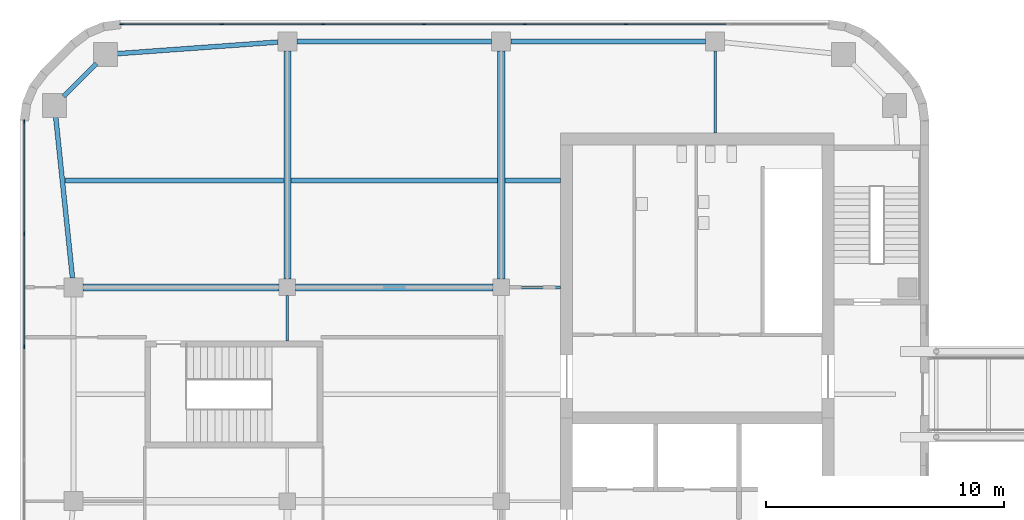
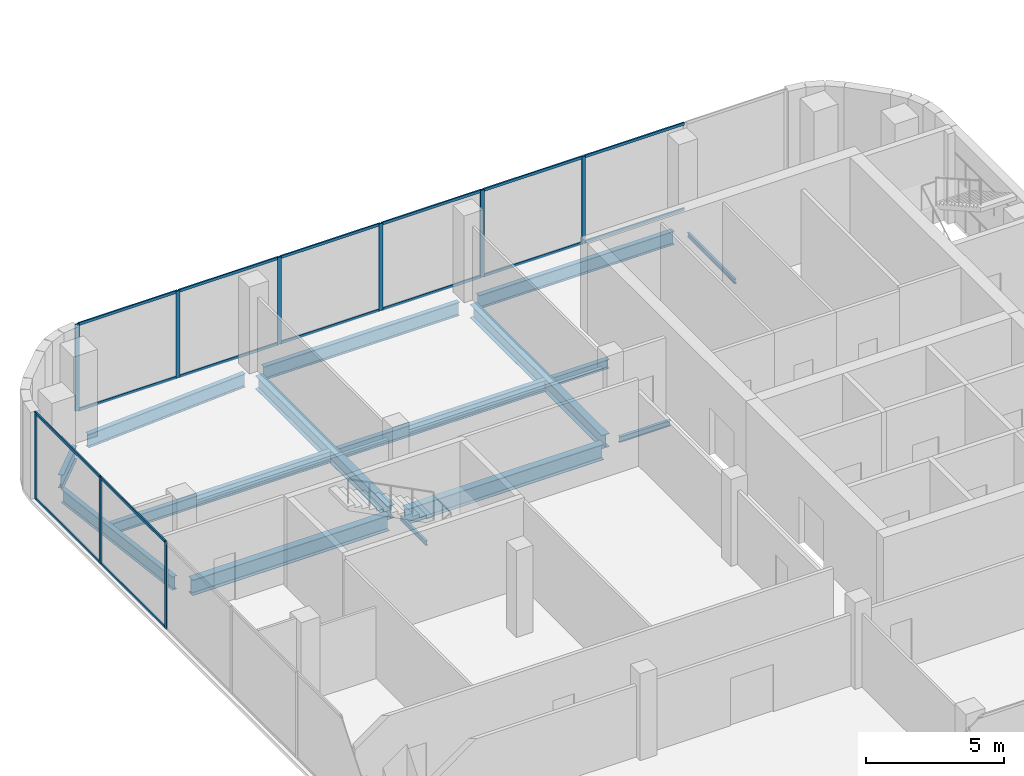
# One storey, part 6 of 24: 25 members, 15 beams, 2 elements without a shape of their own.
"""IFC4 building model written with IfcOpenShell, lengths in metres."""

from ifc_helpers import new_model, si_unit, direction, frame, origin, origin_2d, place, context, subcontext, project, spatial, rectangle, i_section, extrude, material, material_profile, profile_set, type_object, element, aggregate, save


model = new_model("IFC4")

# Units and contexts
model_context = context("Model", 3, precision=1e-05, world=origin(), true_north=direction((0.0, 1.0)))
body_context = subcontext(model_context, "Body", "Model", "MODEL_VIEW")
ifc_project = project(units=[si_unit("LENGTHUNIT", "METRE"), si_unit("AREAUNIT", "SQUARE_METRE"), si_unit("VOLUMEUNIT", "CUBIC_METRE"), si_unit("PLANEANGLEUNIT", "RADIAN"), si_unit("MASSUNIT", "GRAM", prefix="KILO")], contexts=[model_context])

# Site, building, storey
site_placement = place(None, origin())
site = spatial("IfcSite", under=ifc_project, at=site_placement, CompositionType="ELEMENT")
building_placement = place(site_placement, origin())
building = spatial("IfcBuilding", under=site, at=building_placement, Name="Cinnabar Reach Civic Tower", CompositionType="ELEMENT")
storey_placement = place(building_placement, frame((0.0, 0.0, 71.0)))
storey = spatial("IfcBuildingStorey", under=building, at=storey_placement, Name="L16", CompositionType="ELEMENT", Elevation=71.0)

# Beams
ifc_material_1 = material(Name="Steel Q355B", Category="steel")
ifc_material_profile_1 = material_profile(ifc_material_1, i_section(OverallWidth=0.302, OverallDepth=0.594, WebThickness=0.014, FlangeThickness=0.023, FilletRadius=0.016, at=origin_2d()), Name="HM594x302x14x23")
ifc_profile_set_1 = profile_set([ifc_material_profile_1], Name="Steel Q355B")
beam_type_1 = type_object("IfcBeamType", Name="HM594x302x14x23 beam R 120", PredefinedType="BEAM", material=ifc_profile_set_1)
for number, where, z_axis, x_axis, name in (
    (1, (-54.0, 36.352, -0.447), (0.0, 1.0, 0.0), (-1.0, 0.0, 0.0), "Girder T2 L16 5"),
    (2, (-45.0, 36.352, -0.447), (0.0, 1.0, 0.0), (-1.0, 0.0, 0.0), "Girder T2 L16 9"),
):
    element("IfcBeam", number, at=place(storey_placement, frame(where, z_axis=z_axis, x_axis=x_axis)), inside=storey, type_object=beam_type_1, Name=name, PredefinedType="BEAM", context=body_context, shape_type="SweptSolid", body=[
        extrude(i_section(OverallWidth=0.302, OverallDepth=0.594, WebThickness=0.014, FlangeThickness=0.023, FilletRadius=0.016, at=origin_2d()), origin(), (0.0, 0.0, 1.0), 9.596),
    ])
ifc_material_profile_2 = material_profile(ifc_material_1, i_section(OverallWidth=0.099, OverallDepth=0.198, WebThickness=0.0045, FlangeThickness=0.007, FilletRadius=0.013, at=origin_2d()), Name="HN200x100x5.5x8")
ifc_profile_set_2 = profile_set([ifc_material_profile_2], Name="Steel Q355B")
beam_type_2 = type_object("IfcBeamType", Name="HN200x100x5.5x8 beam R 120", PredefinedType="BEAM", material=ifc_profile_set_2)
beam_1_placement = place(storey_placement, frame((-54.0, 33.752, -0.249), z_axis=(0.0, 1.0, 0.0), x_axis=(-1.0, 0.0, 0.0)))
element("IfcBeam", 3, at=beam_1_placement, inside=storey, type_object=beam_type_2, Name="Girder T2 L16 4", PredefinedType="BEAM", context=body_context, shape_type="SweptSolid", body=[
    extrude(i_section(OverallWidth=0.099, OverallDepth=0.198, WebThickness=0.0045, FlangeThickness=0.007, FilletRadius=0.013, at=origin_2d()), origin(), (0.0, 0.0, 1.0), 1.896),
])
beam_2_placement = place(storey_placement, frame((-36.0, 42.502, -0.249), z_axis=(0.0, 1.0, 0.0), x_axis=(-1.0, 0.0, 0.0)))
element("IfcBeam", 4, at=beam_2_placement, inside=storey, type_object=beam_type_2, Name="Girder T2 L16 12", PredefinedType="BEAM", context=body_context, shape_type="SweptSolid", body=[
    extrude(i_section(OverallWidth=0.099, OverallDepth=0.198, WebThickness=0.0045, FlangeThickness=0.007, FilletRadius=0.013, at=origin_2d()), origin(), (0.0, 0.0, 1.0), 3.446),
])
ifc_material_profile_3 = material_profile(ifc_material_1, i_section(OverallWidth=0.124, OverallDepth=0.248, WebThickness=0.005, FlangeThickness=0.008, FilletRadius=0.013, at=origin_2d()), Name="HN250x125x6x9")
ifc_profile_set_3 = profile_set([ifc_material_profile_3], Name="Steel Q355B")
beam_type_3 = type_object("IfcBeamType", Name="HN250x125x6x9 beam R 120", PredefinedType="BEAM", material=ifc_profile_set_3)
beam_3_placement = place(storey_placement, frame((-44.648, 36.0, -0.274), z_axis=(1.0, 0.0, 0.0), x_axis=(0.0, 1.0, 0.0)))
element("IfcBeam", 5, at=beam_3_placement, inside=storey, type_object=beam_type_3, Name="Girder T2 L16 10", PredefinedType="BEAM", context=body_context, shape_type="SweptSolid", body=[
    extrude(i_section(OverallWidth=0.124, OverallDepth=0.248, WebThickness=0.005, FlangeThickness=0.008, FilletRadius=0.013, at=origin_2d()), origin(), (0.0, 0.0, 1.0), 2.146),
])
ifc_material_profile_4 = material_profile(ifc_material_1, i_section(OverallWidth=0.199, OverallDepth=0.396, WebThickness=0.007, FlangeThickness=0.011, FilletRadius=0.013, at=origin_2d()), Name="HN396x199x7x11")
ifc_profile_set_4 = profile_set([ifc_material_profile_4], Name="Steel Q355B")
beam_type_4 = type_object("IfcBeamType", Name="HN396x199x7x11 beam R 120", PredefinedType="BEAM", material=ifc_profile_set_4)
beam_4_placement = place(storey_placement, frame((-44.847, 40.5, -0.348), z_axis=(1.0, 0.0, 0.0), x_axis=(0.0, 1.0, 0.0)))
element("IfcBeam", 6, at=beam_4_placement, inside=storey, type_object=beam_type_4, Name="Secondary beam T2 L16 14", PredefinedType="BEAM", context=body_context, shape_type="SweptSolid", body=[
    extrude(i_section(OverallWidth=0.199, OverallDepth=0.396, WebThickness=0.007, FlangeThickness=0.011, FilletRadius=0.013, at=origin_2d()), origin(), (0.0, 0.0, 1.0), 2.345),
])
ifc_material_profile_5 = material_profile(ifc_material_1, i_section(OverallWidth=0.199, OverallDepth=0.496, WebThickness=0.009, FlangeThickness=0.014, FilletRadius=0.016, at=origin_2d()), Name="HN496x199x9x14")
ifc_profile_set_5 = profile_set([ifc_material_profile_5], Name="Steel Q355B")
beam_type_5 = type_object("IfcBeamType", Name="HN496x199x9x14 beam R 120", PredefinedType="BEAM", material=ifc_profile_set_5)
beam_5_placement = place(storey_placement, frame((-63.3663, 40.5, -0.398), z_axis=(1.0, 0.0, 0.0), x_axis=(0.0, 1.0, 0.0)))
element("IfcBeam", 7, at=beam_5_placement, inside=storey, type_object=beam_type_5, Name="Secondary beam T2 L16 12", PredefinedType="BEAM", context=body_context, shape_type="SweptSolid", body=[
    extrude(i_section(OverallWidth=0.199, OverallDepth=0.496, WebThickness=0.009, FlangeThickness=0.014, FilletRadius=0.016, at=origin_2d()), origin(), (0.0, 0.0, 1.0), 9.2133),
])
beam_6_placement = place(storey_placement, frame((-53.847, 40.5, -0.398), z_axis=(1.0, 0.0, 0.0), x_axis=(0.0, 1.0, 0.0)))
element("IfcBeam", 8, at=beam_6_placement, inside=storey, type_object=beam_type_5, Name="Secondary beam T2 L16 13", PredefinedType="BEAM", context=body_context, shape_type="SweptSolid", body=[
    extrude(i_section(OverallWidth=0.199, OverallDepth=0.496, WebThickness=0.009, FlangeThickness=0.014, FilletRadius=0.016, at=origin_2d()), origin(), (0.0, 0.0, 1.0), 8.694),
])
ifc_material_profile_6 = material_profile(ifc_material_1, i_section(OverallWidth=0.2, OverallDepth=0.6, WebThickness=0.011, FlangeThickness=0.017, FilletRadius=0.016, at=origin_2d()), Name="HN600x200x11x17")
ifc_profile_set_6 = profile_set([ifc_material_profile_6], Name="Steel Q355B")
beam_type_6 = type_object("IfcBeamType", Name="HN600x200x11x17 beam R 120", PredefinedType="BEAM", material=ifc_profile_set_6)
for number, where, z_axis, x_axis, name in (
    (9, (-36.402, 46.35, -0.45), (-1.0, 0.0, 0.0), (0.0, -1.0, 0.0), "Edge beam T2 L16 10"),
    (10, (-45.402, 46.35, -0.45), (-1.0, 0.0, 0.0), (0.0, -1.0, 0.0), "Edge beam T2 L16 11"),
):
    element("IfcBeam", number, at=place(storey_placement, frame(where, z_axis=z_axis, x_axis=x_axis)), inside=storey, type_object=beam_type_6, Name=name, PredefinedType="BEAM", context=body_context, shape_type="SweptSolid", body=[
        extrude(i_section(OverallWidth=0.2, OverallDepth=0.6, WebThickness=0.011, FlangeThickness=0.017, FilletRadius=0.016, at=origin_2d()), origin(), (0.0, 0.0, 1.0), 8.196),
    ])
beam_7_placement = place(storey_placement, frame((-54.402, 46.3209, -0.45), z_axis=(-0.997395244781, -0.072129922278, 0.0), x_axis=(0.072129922278, -0.997395244781, 0.0)))
element("IfcBeam", 11, at=beam_7_placement, inside=storey, type_object=beam_type_6, Name="Edge beam T2 L16 12", PredefinedType="BEAM", context=body_context, shape_type="SweptSolid", body=[
    extrude(i_section(OverallWidth=0.2, OverallDepth=0.6, WebThickness=0.011, FlangeThickness=0.017, FilletRadius=0.016, at=origin_2d()), origin(), (0.0, 0.0, 1.0), 6.882),
])
beam_8_placement = place(storey_placement, frame((-62.0301, 45.4149, -0.45), z_axis=(-0.707106781187, -0.707106781187, 0.0), x_axis=(0.707106781187, -0.707106781187, 0.0)))
element("IfcBeam", 12, at=beam_8_placement, inside=storey, type_object=beam_type_6, Name="Edge beam T2 L16 13", PredefinedType="BEAM", context=body_context, shape_type="SweptSolid", body=[
    extrude(i_section(OverallWidth=0.2, OverallDepth=0.6, WebThickness=0.011, FlangeThickness=0.017, FilletRadius=0.016, at=origin_2d()), origin(), (0.0, 0.0, 1.0), 1.9584),
])
beam_9_placement = place(storey_placement, frame((-63.7571, 43.2661, -0.45), z_axis=(0.103633260175, -0.994615577691, 0.0), x_axis=(0.994615577691, 0.103633260175, 0.0)))
element("IfcBeam", 13, at=beam_9_placement, inside=storey, type_object=beam_type_6, Name="Edge beam T2 L16 14", PredefinedType="BEAM", context=body_context, shape_type="SweptSolid", body=[
    extrude(i_section(OverallWidth=0.2, OverallDepth=0.6, WebThickness=0.011, FlangeThickness=0.017, FilletRadius=0.016, at=origin_2d()), origin(), (0.0, 0.0, 1.0), 6.9013),
])
ifc_material_profile_7 = material_profile(ifc_material_1, i_section(OverallWidth=0.3, OverallDepth=0.692, WebThickness=0.013, FlangeThickness=0.02, FilletRadius=0.016, at=origin_2d()), Name="HN692x300x13x20")
ifc_profile_set_7 = profile_set([ifc_material_profile_7], Name="Steel Q355B")
beam_type_7 = type_object("IfcBeamType", Name="HN692x300x13x20 beam R 120", PredefinedType="BEAM", material=ifc_profile_set_7)
beam_10_placement = place(storey_placement, frame((-62.598, 36.0, -0.496), z_axis=(1.0, 0.0, 0.0), x_axis=(0.0, 1.0, 0.0)))
element("IfcBeam", 14, at=beam_10_placement, inside=storey, type_object=beam_type_7, Name="Girder T2 L16 8", PredefinedType="BEAM", context=body_context, shape_type="SweptSolid", body=[
    extrude(i_section(OverallWidth=0.3, OverallDepth=0.692, WebThickness=0.013, FlangeThickness=0.02, FilletRadius=0.016, at=origin_2d()), origin(), (0.0, 0.0, 1.0), 8.246),
])
beam_11_placement = place(storey_placement, frame((-53.648, 36.0, -0.496), z_axis=(1.0, 0.0, 0.0), x_axis=(0.0, 1.0, 0.0)))
element("IfcBeam", 15, at=beam_11_placement, inside=storey, type_object=beam_type_7, Name="Girder T2 L16 9", PredefinedType="BEAM", context=body_context, shape_type="SweptSolid", body=[
    extrude(i_section(OverallWidth=0.3, OverallDepth=0.692, WebThickness=0.013, FlangeThickness=0.02, FilletRadius=0.016, at=origin_2d()), origin(), (0.0, 0.0, 1.0), 8.296),
])

# Curtain wall, members
ifc_material_2 = material(Name="Aluminium and clear double glazing", Category="aluminium")
curtain_wall_type = type_object("IfcCurtainWallType", Name="Tower 2 sky lobby and amenity curtain wall", PredefinedType="NOTDEFINED", material=ifc_material_2)
curtain_wall_1_placement = place(storey_placement, origin())
curtain_wall_1 = element("IfcCurtainWall", 16, at=curtain_wall_1_placement, inside=storey, type_object=curtain_wall_type, Name="Tower 2 sky lobby and amenity 2", PredefinedType="NOTDEFINED")
ifc_material_3 = material(Name="Aluminium", Category="aluminium")
ifc_material_profile_8 = material_profile(ifc_material_3, rectangle(XDim=0.06, YDim=0.16, at=origin_2d()), Name="Tower 2 sky lobby and amenity mullion")
ifc_profile_set_8 = profile_set([ifc_material_profile_8], Name="Aluminium")
member_type_1 = type_object("IfcMemberType", Name="Tower 2 sky lobby and amenity mullion", PredefinedType="MULLION", material=ifc_profile_set_8)
member_1_placement = place(storey_placement, frame((-39.7468, 47.07, 0.0), z_axis=(0.0, 0.0, 1.0), x_axis=(0.0, -1.0, 0.0)))
member_1 = element("IfcMember", 17, at=member_1_placement, type_object=member_type_1, Name="CW-T2SKY-2 mullion 3", PredefinedType="MULLION", context=body_context, shape_type="SweptSolid", body=[
    extrude(rectangle(XDim=0.06, YDim=0.16, at=origin_2d()), origin(), (0.0, 0.0, 1.0), 3.85),
])
member_2_placement = place(storey_placement, frame((-43.9989, 47.07, 0.0), z_axis=(0.0, 0.0, 1.0), x_axis=(0.0, -1.0, 0.0)))
member_2 = element("IfcMember", 18, at=member_2_placement, type_object=member_type_1, Name="CW-T2SKY-2 mullion 4", PredefinedType="MULLION", context=body_context, shape_type="SweptSolid", body=[
    extrude(rectangle(XDim=0.06, YDim=0.16, at=origin_2d()), origin(), (0.0, 0.0, 1.0), 3.85),
])
member_3_placement = place(storey_placement, frame((-48.2511, 47.07, 0.0), z_axis=(0.0, 0.0, 1.0), x_axis=(0.0, -1.0, 0.0)))
member_3 = element("IfcMember", 19, at=member_3_placement, type_object=member_type_1, Name="CW-T2SKY-2 mullion 5", PredefinedType="MULLION", context=body_context, shape_type="SweptSolid", body=[
    extrude(rectangle(XDim=0.06, YDim=0.16, at=origin_2d()), origin(), (0.0, 0.0, 1.0), 3.85),
])
member_4_placement = place(storey_placement, frame((-52.5032, 47.07, 0.0), z_axis=(0.0, 0.0, 1.0), x_axis=(0.0, -1.0, 0.0)))
member_4 = element("IfcMember", 20, at=member_4_placement, type_object=member_type_1, Name="CW-T2SKY-2 mullion 6", PredefinedType="MULLION", context=body_context, shape_type="SweptSolid", body=[
    extrude(rectangle(XDim=0.06, YDim=0.16, at=origin_2d()), origin(), (0.0, 0.0, 1.0), 3.85),
])
member_5_placement = place(storey_placement, frame((-56.7553, 47.07, 0.0), z_axis=(0.0, 0.0, 1.0), x_axis=(0.0, -1.0, 0.0)))
member_5 = element("IfcMember", 21, at=member_5_placement, type_object=member_type_1, Name="CW-T2SKY-2 mullion 7", PredefinedType="MULLION", context=body_context, shape_type="SweptSolid", body=[
    extrude(rectangle(XDim=0.06, YDim=0.16, at=origin_2d()), origin(), (0.0, 0.0, 1.0), 3.85),
])
member_6_placement = place(storey_placement, frame((-60.9774, 47.07, 0.0), z_axis=(0.0, 0.0, 1.0), x_axis=(0.0, -1.0, 0.0)))
member_6 = element("IfcMember", 22, at=member_6_placement, type_object=member_type_1, Name="CW-T2SKY-2 mullion 8", PredefinedType="MULLION", context=body_context, shape_type="SweptSolid", body=[
    extrude(rectangle(XDim=0.06, YDim=0.16, at=origin_2d()), origin(), (0.0, 0.0, 1.0), 3.85),
])

curtain_wall_2_placement = place(storey_placement, origin())
curtain_wall_2 = element("IfcCurtainWall", 23, at=curtain_wall_2_placement, inside=storey, type_object=curtain_wall_type, Name="Tower 2 sky lobby and amenity 3", PredefinedType="NOTDEFINED")
member_7_placement = place(storey_placement, frame((-65.07, 42.9774, 0.0), z_axis=(0.0, 0.0, 1.0), x_axis=(1.0, 0.0, 0.0)))
member_7 = element("IfcMember", 24, at=member_7_placement, type_object=member_type_1, Name="CW-T2SKY-3 mullion 1", PredefinedType="MULLION", context=body_context, shape_type="SweptSolid", body=[
    extrude(rectangle(XDim=0.06, YDim=0.16, at=origin_2d()), origin(), (0.0, 0.0, 1.0), 3.85),
])
member_8_placement = place(storey_placement, frame((-65.07, 38.2544, 0.0), z_axis=(0.0, 0.0, 1.0), x_axis=(1.0, 0.0, 0.0)))
member_8 = element("IfcMember", 25, at=member_8_placement, type_object=member_type_1, Name="CW-T2SKY-3 mullion 2", PredefinedType="MULLION", context=body_context, shape_type="SweptSolid", body=[
    extrude(rectangle(XDim=0.06, YDim=0.16, at=origin_2d()), origin(), (0.0, 0.0, 1.0), 3.85),
])
member_9_placement = place(storey_placement, frame((-65.07, 33.5015, 0.0), z_axis=(0.0, 0.0, 1.0), x_axis=(1.0, 0.0, 0.0)))
member_9 = element("IfcMember", 26, at=member_9_placement, type_object=member_type_1, Name="CW-T2SKY-3 mullion 3", PredefinedType="MULLION", context=body_context, shape_type="SweptSolid", body=[
    extrude(rectangle(XDim=0.06, YDim=0.16, at=origin_2d()), origin(), (0.0, 0.0, 1.0), 3.85),
])

# Member
ifc_material_profile_9 = material_profile(ifc_material_3, rectangle(XDim=0.06, YDim=0.12, at=origin_2d()), Name="Tower 2 sky lobby and amenity transom")
ifc_profile_set_9 = profile_set([ifc_material_profile_9], Name="Aluminium")
member_type_2 = type_object("IfcMemberType", Name="Tower 2 sky lobby and amenity transom", PredefinedType="USERDEFINED", material=ifc_profile_set_9)
member_10_placement = place(storey_placement, frame((-35.5247, 47.07, 0.03), z_axis=(-1.0, 0.0, 0.0), x_axis=(0.0, -1.0, 0.0)))
member_10 = element("IfcMember", 27, at=member_10_placement, type_object=member_type_2, Name="CW-T2SKY-2 transom 2.1", ObjectType="TRANSOM", PredefinedType="USERDEFINED", context=body_context, shape_type="SweptSolid", body=[
    extrude(rectangle(XDim=0.06, YDim=0.12, at=origin_2d()), origin(), (0.0, 0.0, 1.0), 4.1921),
])

member_11_placement = place(storey_placement, frame((-35.5247, 47.07, 3.82), z_axis=(-1.0, 0.0, 0.0), x_axis=(0.0, -1.0, 0.0)))
member_11 = element("IfcMember", 28, at=member_11_placement, type_object=member_type_2, Name="CW-T2SKY-2 transom 2.2", ObjectType="TRANSOM", PredefinedType="USERDEFINED", context=body_context, shape_type="SweptSolid", body=[
    extrude(rectangle(XDim=0.06, YDim=0.12, at=origin_2d()), origin(), (0.0, 0.0, 1.0), 4.1921),
])

member_12_placement = place(storey_placement, frame((-39.7768, 47.07, 0.03), z_axis=(-1.0, 0.0, 0.0), x_axis=(0.0, -1.0, 0.0)))
member_12 = element("IfcMember", 29, at=member_12_placement, type_object=member_type_2, Name="CW-T2SKY-2 transom 3.1", ObjectType="TRANSOM", PredefinedType="USERDEFINED", context=body_context, shape_type="SweptSolid", body=[
    extrude(rectangle(XDim=0.06, YDim=0.12, at=origin_2d()), origin(), (0.0, 0.0, 1.0), 4.1921),
])

member_13_placement = place(storey_placement, frame((-39.7768, 47.07, 3.82), z_axis=(-1.0, 0.0, 0.0), x_axis=(0.0, -1.0, 0.0)))
member_13 = element("IfcMember", 30, at=member_13_placement, type_object=member_type_2, Name="CW-T2SKY-2 transom 3.2", ObjectType="TRANSOM", PredefinedType="USERDEFINED", context=body_context, shape_type="SweptSolid", body=[
    extrude(rectangle(XDim=0.06, YDim=0.12, at=origin_2d()), origin(), (0.0, 0.0, 1.0), 4.1921),
])

member_14_placement = place(storey_placement, frame((-44.0289, 47.07, 0.03), z_axis=(-1.0, 0.0, 0.0), x_axis=(0.0, -1.0, 0.0)))
member_14 = element("IfcMember", 31, at=member_14_placement, type_object=member_type_2, Name="CW-T2SKY-2 transom 4.1", ObjectType="TRANSOM", PredefinedType="USERDEFINED", context=body_context, shape_type="SweptSolid", body=[
    extrude(rectangle(XDim=0.06, YDim=0.12, at=origin_2d()), origin(), (0.0, 0.0, 1.0), 4.1922),
])

member_15_placement = place(storey_placement, frame((-44.0289, 47.07, 3.82), z_axis=(-1.0, 0.0, 0.0), x_axis=(0.0, -1.0, 0.0)))
member_15 = element("IfcMember", 32, at=member_15_placement, type_object=member_type_2, Name="CW-T2SKY-2 transom 4.2", ObjectType="TRANSOM", PredefinedType="USERDEFINED", context=body_context, shape_type="SweptSolid", body=[
    extrude(rectangle(XDim=0.06, YDim=0.12, at=origin_2d()), origin(), (0.0, 0.0, 1.0), 4.1922),
])

member_16_placement = place(storey_placement, frame((-48.2811, 47.07, 0.03), z_axis=(-1.0, 0.0, 0.0), x_axis=(0.0, -1.0, 0.0)))
member_16 = element("IfcMember", 33, at=member_16_placement, type_object=member_type_2, Name="CW-T2SKY-2 transom 5.1", ObjectType="TRANSOM", PredefinedType="USERDEFINED", context=body_context, shape_type="SweptSolid", body=[
    extrude(rectangle(XDim=0.06, YDim=0.12, at=origin_2d()), origin(), (0.0, 0.0, 1.0), 4.1921),
])

member_17_placement = place(storey_placement, frame((-48.2811, 47.07, 3.82), z_axis=(-1.0, 0.0, 0.0), x_axis=(0.0, -1.0, 0.0)))
member_17 = element("IfcMember", 34, at=member_17_placement, type_object=member_type_2, Name="CW-T2SKY-2 transom 5.2", ObjectType="TRANSOM", PredefinedType="USERDEFINED", context=body_context, shape_type="SweptSolid", body=[
    extrude(rectangle(XDim=0.06, YDim=0.12, at=origin_2d()), origin(), (0.0, 0.0, 1.0), 4.1921),
])

member_18_placement = place(storey_placement, frame((-52.5332, 47.07, 0.03), z_axis=(-1.0, 0.0, 0.0), x_axis=(0.0, -1.0, 0.0)))
member_18 = element("IfcMember", 35, at=member_18_placement, type_object=member_type_2, Name="CW-T2SKY-2 transom 6.1", ObjectType="TRANSOM", PredefinedType="USERDEFINED", context=body_context, shape_type="SweptSolid", body=[
    extrude(rectangle(XDim=0.06, YDim=0.12, at=origin_2d()), origin(), (0.0, 0.0, 1.0), 4.1921),
])

member_19_placement = place(storey_placement, frame((-52.5332, 47.07, 3.82), z_axis=(-1.0, 0.0, 0.0), x_axis=(0.0, -1.0, 0.0)))
member_19 = element("IfcMember", 36, at=member_19_placement, type_object=member_type_2, Name="CW-T2SKY-2 transom 6.2", ObjectType="TRANSOM", PredefinedType="USERDEFINED", context=body_context, shape_type="SweptSolid", body=[
    extrude(rectangle(XDim=0.06, YDim=0.12, at=origin_2d()), origin(), (0.0, 0.0, 1.0), 4.1921),
])

member_20_placement = place(storey_placement, frame((-56.7853, 47.07, 0.03), z_axis=(-1.0, 0.0, 0.0), x_axis=(0.0, -1.0, 0.0)))
member_20 = element("IfcMember", 37, at=member_20_placement, type_object=member_type_2, Name="CW-T2SKY-2 transom 7.1", ObjectType="TRANSOM", PredefinedType="USERDEFINED", context=body_context, shape_type="SweptSolid", body=[
    extrude(rectangle(XDim=0.06, YDim=0.12, at=origin_2d()), origin(), (0.0, 0.0, 1.0), 4.1621),
])

member_21_placement = place(storey_placement, frame((-56.7853, 47.07, 3.82), z_axis=(-1.0, 0.0, 0.0), x_axis=(0.0, -1.0, 0.0)))
member_21 = element("IfcMember", 38, at=member_21_placement, type_object=member_type_2, Name="CW-T2SKY-2 transom 7.2", ObjectType="TRANSOM", PredefinedType="USERDEFINED", context=body_context, shape_type="SweptSolid", body=[
    extrude(rectangle(XDim=0.06, YDim=0.12, at=origin_2d()), origin(), (0.0, 0.0, 1.0), 4.1621),
])

aggregate(curtain_wall_1, [member_1, member_2, member_3, member_4, member_5, member_6, member_10, member_11, member_12, member_13, member_14, member_15, member_16, member_17, member_18, member_19, member_20, member_21])

member_22_placement = place(storey_placement, frame((-65.07, 42.9474, 0.03), z_axis=(0.0, -1.0, 0.0), x_axis=(1.0, 0.0, 0.0)))
member_22 = element("IfcMember", 39, at=member_22_placement, type_object=member_type_2, Name="CW-T2SKY-3 transom 1.1", ObjectType="TRANSOM", PredefinedType="USERDEFINED", context=body_context, shape_type="SweptSolid", body=[
    extrude(rectangle(XDim=0.06, YDim=0.12, at=origin_2d()), origin(), (0.0, 0.0, 1.0), 4.663),
])

member_23_placement = place(storey_placement, frame((-65.07, 42.9474, 3.82), z_axis=(0.0, -1.0, 0.0), x_axis=(1.0, 0.0, 0.0)))
member_23 = element("IfcMember", 40, at=member_23_placement, type_object=member_type_2, Name="CW-T2SKY-3 transom 1.2", ObjectType="TRANSOM", PredefinedType="USERDEFINED", context=body_context, shape_type="SweptSolid", body=[
    extrude(rectangle(XDim=0.06, YDim=0.12, at=origin_2d()), origin(), (0.0, 0.0, 1.0), 4.663),
])

member_24_placement = place(storey_placement, frame((-65.07, 38.2244, 0.03), z_axis=(0.0, -1.0, 0.0), x_axis=(1.0, 0.0, 0.0)))
member_24 = element("IfcMember", 41, at=member_24_placement, type_object=member_type_2, Name="CW-T2SKY-3 transom 2.1", ObjectType="TRANSOM", PredefinedType="USERDEFINED", context=body_context, shape_type="SweptSolid", body=[
    extrude(rectangle(XDim=0.06, YDim=0.12, at=origin_2d()), origin(), (0.0, 0.0, 1.0), 4.6929),
])

member_25_placement = place(storey_placement, frame((-65.07, 38.2244, 3.82), z_axis=(0.0, -1.0, 0.0), x_axis=(1.0, 0.0, 0.0)))
member_25 = element("IfcMember", 42, at=member_25_placement, type_object=member_type_2, Name="CW-T2SKY-3 transom 2.2", ObjectType="TRANSOM", PredefinedType="USERDEFINED", context=body_context, shape_type="SweptSolid", body=[
    extrude(rectangle(XDim=0.06, YDim=0.12, at=origin_2d()), origin(), (0.0, 0.0, 1.0), 4.6929),
])

aggregate(curtain_wall_2, [member_7, member_8, member_9, member_22, member_23, member_24, member_25])

save(model, "model.ifc")
